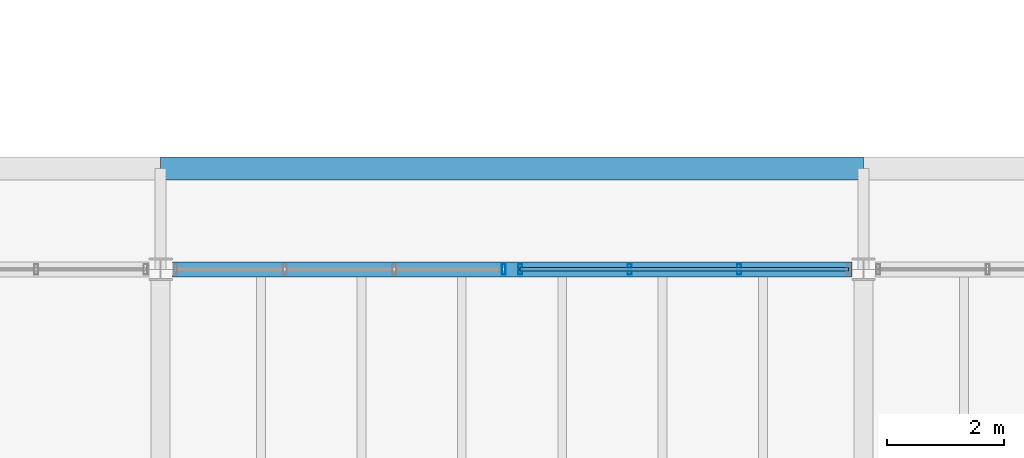
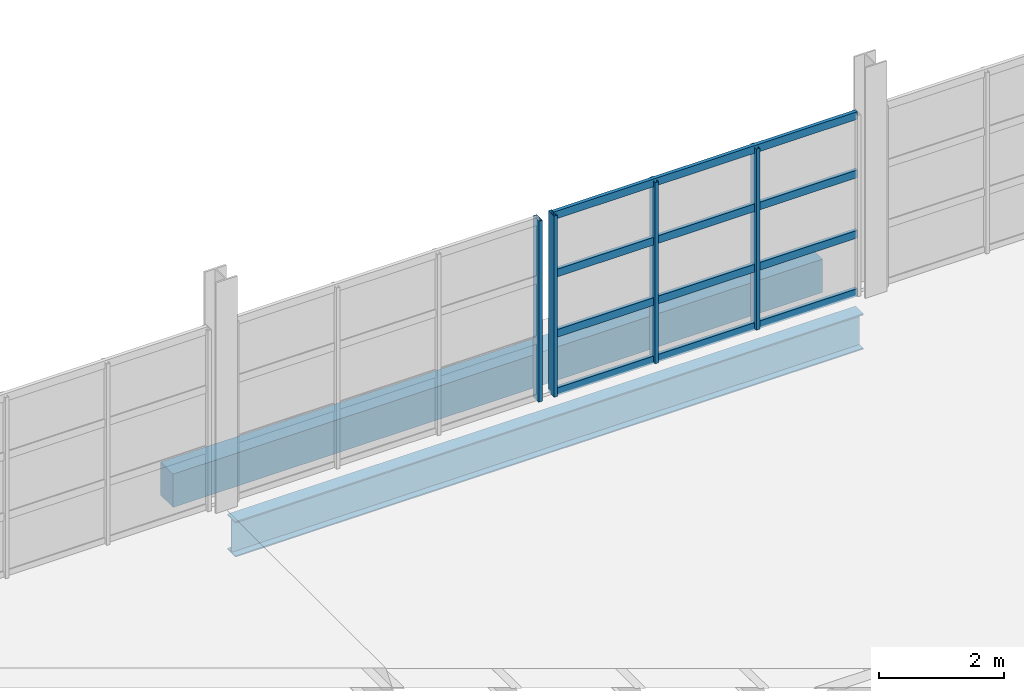
# One storey, part 46 of 114: 8 members, 2 beams, 2 elements without a shape of their own.
"""IFC4 building model written with IfcOpenShell, lengths in metres."""

from ifc_helpers import new_model, si_unit, direction, frame, origin, origin_2d, place, context, subcontext, project, spatial, rectangle, hollow_rectangle, i_section, extrude, material, material_profile, profile_set, type_object, element, aggregate, save


model = new_model("IFC4")

# Units and contexts
model_context = context("Model", 3, precision=1e-05, world=origin(), true_north=direction((0.0, 1.0)))
body_context = subcontext(model_context, "Body", "Model", "MODEL_VIEW")
ifc_project = project(units=[si_unit("LENGTHUNIT", "METRE"), si_unit("AREAUNIT", "SQUARE_METRE"), si_unit("VOLUMEUNIT", "CUBIC_METRE"), si_unit("PLANEANGLEUNIT", "RADIAN"), si_unit("MASSUNIT", "GRAM", prefix="KILO")], contexts=[model_context])

# Site, building, storey
site_placement = place(None, origin())
site = spatial("IfcSite", under=ifc_project, at=site_placement, CompositionType="ELEMENT")
building_placement = place(site_placement, origin())
building = spatial("IfcBuilding", under=site, at=building_placement, Name="Kelmvaro Bay Concert Hall", CompositionType="ELEMENT")
storey_placement = place(building_placement, frame((0.0, 0.0, 4.800048828125)))
storey = spatial("IfcBuildingStorey", under=building, at=storey_placement, Name="L01", CompositionType="ELEMENT", Elevation=4.800048828125)

# Beam
ifc_material_1 = material(Name="Concrete C40/50", Category="concrete")
ifc_material_profile_1 = material_profile(ifc_material_1, rectangle(XDim=0.39990234375, YDim=0.64990234375, at=origin_2d()), Name="RC-BM-400X650")
ifc_profile_set_1 = profile_set([ifc_material_profile_1], Name="Concrete C40/50")
beam_type_1 = type_object("IfcBeamType", Name="Canopy Edge Concrete Beam RC400x650", PredefinedType="BEAM", material=ifc_profile_set_1)
beam_1_placement = place(storey_placement, frame((84.0, 40.719970703125, -0.6650390625), z_axis=(1.0, 0.0, 0.0), x_axis=(0.0, 1.0, 0.0)))
element("IfcBeam", 1, at=beam_1_placement, inside=storey, type_object=beam_type_1, Name="Storm Eave Fascia Beam CRT-14", PredefinedType="BEAM", context=body_context, shape_type="SweptSolid", body=[
    extrude(rectangle(XDim=0.39990234375, YDim=0.64990234375, at=origin_2d()), origin(), (0.0, 0.0, 1.0), 12.0),
])

# Curtain wall, member
ifc_material_2 = material(Name="Anodised Aluminium and Low-E Insulated Glazing", Category="aluminium")
curtain_wall_type = type_object("IfcCurtainWallType", Name="Mezzanine Concourse Curtain Wall 4100", PredefinedType="USERDEFINED", material=ifc_material_2)
curtain_wall_1_placement = place(storey_placement, origin())
curtain_wall_1 = element("IfcCurtainWall", 2, at=curtain_wall_1_placement, inside=storey, type_object=curtain_wall_type, Name="Unitised Curtain Wall CW-L01-072", ObjectType="UNITISED GLAZING", PredefinedType="USERDEFINED")
ifc_material_3 = material(Name="Anodised Extruded Aluminium 6063-T6", Category="aluminium")
ifc_material_profile_2 = material_profile(ifc_material_3, hollow_rectangle(XDim=0.06494140625, YDim=0.179931640625, WallThickness=0.00390625, at=origin_2d()), Name="ALU-MUL-180X65")
ifc_profile_set_2 = profile_set([ifc_material_profile_2], Name="Anodised Extruded Aluminium 6063-T6")
member_type_1 = type_object("IfcMemberType", Name="Curtain Mullion ALU 180x65", PredefinedType="MULLION", material=ifc_profile_set_2)
member_1_placement = place(storey_placement, frame((89.860107421875, 39.0, 0.0), z_axis=(0.0, 0.0, 1.0), x_axis=(1.0, 0.0, 0.0)))
member_1 = element("IfcMember", 3, at=member_1_placement, type_object=member_type_1, Name="CW-L01-072 Mullion 04", PredefinedType="MULLION", context=body_context, shape_type="SweptSolid", body=[
    extrude(hollow_rectangle(XDim=0.06494140625, YDim=0.179931640625, WallThickness=0.00390625, at=origin_2d()), origin(), (0.0, 0.0, 1.0), 3.536865234375),
])
aggregate(curtain_wall_1, [member_1])

# Curtain wall, members
curtain_wall_2_placement = place(storey_placement, origin())
curtain_wall_2 = element("IfcCurtainWall", 4, at=curtain_wall_2_placement, inside=storey, type_object=curtain_wall_type, Name="Unitised Curtain Wall CW-L01-073", ObjectType="UNITISED GLAZING", PredefinedType="USERDEFINED")
member_2_placement = place(storey_placement, frame((90.139892578125, 39.0, 0.0), z_axis=(0.0, 0.0, 1.0), x_axis=(1.0, 0.0, 0.0)))
member_2 = element("IfcMember", 5, at=member_2_placement, type_object=member_type_1, Name="CW-L01-073 Mullion 01", PredefinedType="MULLION", context=body_context, shape_type="SweptSolid", body=[
    extrude(hollow_rectangle(XDim=0.06494140625, YDim=0.179931640625, WallThickness=0.00390625, at=origin_2d()), origin(), (0.0, 0.0, 1.0), 3.536865234375),
])
member_3_placement = place(storey_placement, frame((92.009033203125, 39.0, 0.0), z_axis=(0.0, 0.0, 1.0), x_axis=(1.0, 0.0, 0.0)))
member_3 = element("IfcMember", 6, at=member_3_placement, type_object=member_type_1, Name="CW-L01-073 Mullion 02", PredefinedType="MULLION", context=body_context, shape_type="SweptSolid", body=[
    extrude(hollow_rectangle(XDim=0.06494140625, YDim=0.179931640625, WallThickness=0.00390625, at=origin_2d()), origin(), (0.0, 0.0, 1.0), 3.536865234375),
])
member_4_placement = place(storey_placement, frame((93.8779296875, 39.0, 0.0), z_axis=(0.0, 0.0, 1.0), x_axis=(1.0, 0.0, 0.0)))
member_4 = element("IfcMember", 7, at=member_4_placement, type_object=member_type_1, Name="CW-L01-073 Mullion 03", PredefinedType="MULLION", context=body_context, shape_type="SweptSolid", body=[
    extrude(hollow_rectangle(XDim=0.06494140625, YDim=0.179931640625, WallThickness=0.00390625, at=origin_2d()), origin(), (0.0, 0.0, 1.0), 3.536865234375),
])
ifc_material_4 = material(Name="Anodised Extruded Aluminium 6063-T6", Category="aluminium")
ifc_material_profile_3 = material_profile(ifc_material_4, hollow_rectangle(XDim=0.06494140625, YDim=0.14990234375, WallThickness=0.00390625, at=origin_2d()), Name="ALU-TRN-150X65")
ifc_profile_set_3 = profile_set([ifc_material_profile_3], Name="Anodised Extruded Aluminium 6063-T6")
member_type_2 = type_object("IfcMemberType", Name="Curtain Transom ALU 150x65", PredefinedType="USERDEFINED", material=ifc_profile_set_3)
member_5_placement = place(storey_placement, frame((90.139892578125, 39.0, 0.0400390625), z_axis=(1.0, 0.0, 0.0), x_axis=(0.0, 1.0, 0.0)))
member_5 = element("IfcMember", 8, at=member_5_placement, type_object=member_type_2, Name="CW-L01-073 Transom 01", ObjectType="TRANSOM", PredefinedType="USERDEFINED", context=body_context, shape_type="SweptSolid", body=[
    extrude(hollow_rectangle(XDim=0.06494140625, YDim=0.14990234375, WallThickness=0.00390625, at=origin_2d()), origin(), (0.0, 0.0, 1.0), 5.607177734375),
])
member_6_placement = place(storey_placement, frame((90.139892578125, 39.0, 1.178955078125), z_axis=(1.0, 0.0, 0.0), x_axis=(0.0, 1.0, 0.0)))
member_6 = element("IfcMember", 9, at=member_6_placement, type_object=member_type_2, Name="CW-L01-073 Transom 02", ObjectType="TRANSOM", PredefinedType="USERDEFINED", context=body_context, shape_type="SweptSolid", body=[
    extrude(hollow_rectangle(XDim=0.06494140625, YDim=0.14990234375, WallThickness=0.00390625, at=origin_2d()), origin(), (0.0, 0.0, 1.0), 5.607177734375),
])
member_7_placement = place(storey_placement, frame((90.139892578125, 39.0, 2.35791015625), z_axis=(1.0, 0.0, 0.0), x_axis=(0.0, 1.0, 0.0)))
member_7 = element("IfcMember", 10, at=member_7_placement, type_object=member_type_2, Name="CW-L01-073 Transom 03", ObjectType="TRANSOM", PredefinedType="USERDEFINED", context=body_context, shape_type="SweptSolid", body=[
    extrude(hollow_rectangle(XDim=0.06494140625, YDim=0.14990234375, WallThickness=0.00390625, at=origin_2d()), origin(), (0.0, 0.0, 1.0), 5.607177734375),
])
member_8_placement = place(storey_placement, frame((90.139892578125, 39.0, 3.4970703125), z_axis=(1.0, 0.0, 0.0), x_axis=(0.0, 1.0, 0.0)))
member_8 = element("IfcMember", 11, at=member_8_placement, type_object=member_type_2, Name="CW-L01-073 Transom 04", ObjectType="TRANSOM", PredefinedType="USERDEFINED", context=body_context, shape_type="SweptSolid", body=[
    extrude(hollow_rectangle(XDim=0.06494140625, YDim=0.14990234375, WallThickness=0.00390625, at=origin_2d()), origin(), (0.0, 0.0, 1.0), 5.607177734375),
])
aggregate(curtain_wall_2, [member_2, member_3, member_4, member_5, member_6, member_7, member_8])

# Beam
ifc_material_5 = material(Name="Steel ASTM A992 Grade 50", Category="steel")
ifc_material_profile_4 = material_profile(ifc_material_5, i_section(OverallWidth=0.256103515625, OverallDepth=0.693115234375, WebThickness=0.014404296875, FlangeThickness=0.023681640625, at=origin_2d()), Name="W27X114")
ifc_profile_set_4 = profile_set([ifc_material_profile_4], Name="Steel ASTM A992 Grade 50")
beam_type_2 = type_object("IfcBeamType", Name="Foyer Primary Girder W27x114", PredefinedType="BEAM", material=ifc_profile_set_4)
beam_2_placement = place(storey_placement, frame((84.199462890625, 39.0, -0.6865234375), z_axis=(1.0, 0.0, 0.0), x_axis=(0.0, 1.0, 0.0)))
element("IfcBeam", 12, at=beam_2_placement, inside=storey, type_object=beam_type_2, Name="L01 Girder BM-L01-EW-0052", PredefinedType="BEAM", context=body_context, shape_type="SweptSolid", body=[
    extrude(i_section(OverallWidth=0.256103515625, OverallDepth=0.693115234375, WebThickness=0.014404296875, FlangeThickness=0.023681640625, at=origin_2d()), origin(), (0.0, 0.0, 1.0), 11.6025390625),
])

save(model, "model.ifc")
